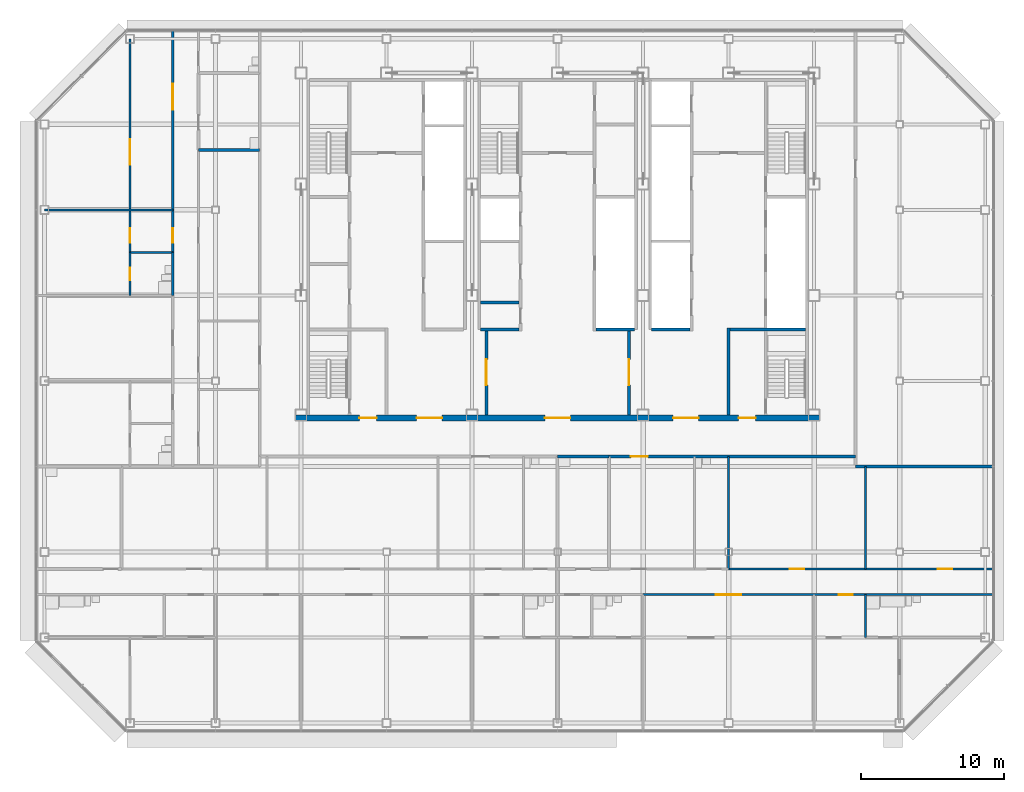
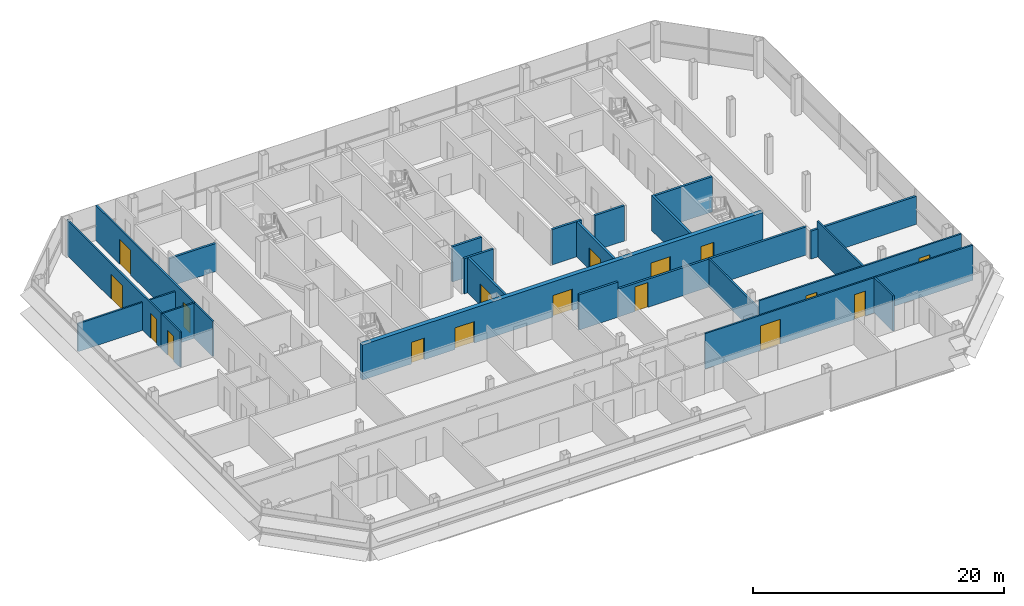
# One storey, part 23 of 28: 25 walls, 17 doors, 17 openings.
"""IFC4 building model written with IfcOpenShell, lengths in metres."""

from ifc_helpers import new_model, si_unit, direction, frame, frame_2d, origin, place, context, subcontext, project, spatial, rectangle, extrude, material, layer, layer_set, type_object, element, fill, save


model = new_model("IFC4")

# Units and contexts
model_context = context("Model", 3, precision=1e-05, world=origin(), true_north=direction((0.0, 1.0)))
body_context = subcontext(model_context, "Body", "Model", "MODEL_VIEW")
ifc_project = project(units=[si_unit("LENGTHUNIT", "METRE"), si_unit("AREAUNIT", "SQUARE_METRE"), si_unit("VOLUMEUNIT", "CUBIC_METRE"), si_unit("PLANEANGLEUNIT", "RADIAN"), si_unit("MASSUNIT", "GRAM", prefix="KILO")], contexts=[model_context])

# Site, building, storey
site_placement = place(None, origin())
site = spatial("IfcSite", under=ifc_project, at=site_placement, CompositionType="ELEMENT")
building_placement = place(site_placement, origin())
building = spatial("IfcBuilding", under=site, at=building_placement, Name="Sorahane Residences", CompositionType="ELEMENT")
storey_placement = place(building_placement, frame((0.0, 0.0, 266.60009765625)))
storey = spatial("IfcBuildingStorey", under=building, at=storey_placement, Name="L63", CompositionType="ELEMENT", Elevation=266.60009765625)

# Wall
ifc_material_1 = material(Name="Concrete blockwork C20 wall", Category="masonry")
ifc_layer_1 = layer(ifc_material_1, 0.199951171875)
ifc_layer_set_1 = layer_set([ifc_layer_1], Name="Corridor wall 200 EI 120")
wall_type_1 = type_object("IfcWallType", Name="Corridor wall 200 EI 120", PredefinedType="SOLIDWALL", material=ifc_layer_set_1)
wall_1_placement = place(storey_placement, frame((44.89990234375, 18.0, 0.0), z_axis=(0.0, 0.0, 1.0), x_axis=(1.0, 0.0, 0.0)))
element("IfcWall", 1, at=wall_1_placement, inside=storey, type_object=wall_type_1, Name="L63 corridor wall", PredefinedType="SOLIDWALL", context=body_context, shape_type="SweptSolid", body=[
    extrude(rectangle(XDim=9.7001953125, YDim=0.199951171875, at=frame_2d((4.85009765625, 0.0))), origin(), (0.0, 0.0, 1.0), 2.719970703125),
])

# Wall, opening, door
wall_2_placement = place(storey_placement, frame((27.60009765625, 18.699951171875, 0.0), z_axis=(0.0, 0.0, 1.0), x_axis=(1.0, 0.0, 0.0)))
wall_2 = element("IfcWall", 2, at=wall_2_placement, inside=storey, type_object=wall_type_1, Name="L63 corridor wall", PredefinedType="SOLIDWALL", context=body_context, shape_type="SweptSolid", body=[
    extrude(rectangle(XDim=17.2998046875, YDim=0.199951171875, at=frame_2d((8.64990234375, 0.0))), origin(), (0.0, 0.0, 1.0), 2.719970703125),
])
opening_1_placement = place(wall_2_placement, frame((1.5400390625, 0.0, 0.0)))
opening_1 = element("IfcOpeningElement", 3, at=opening_1_placement, cuts=wall_2, Name="Opening L63-45", PredefinedType="OPENING", context=body_context, shape_type="SweptSolid", body=[
    extrude(rectangle(XDim=1.199951171875, YDim=2.39990234375, at=frame_2d((0.60009765625, 1.199951171875))), frame((0.0, 0.10986328125, 0.0), z_axis=(0.0, -1.0, 0.0), x_axis=(1.0, 0.0, 0.0)), (0.0, 0.0, 1.0), 0.219970703125),
])
ifc_material_2 = material(Name="Timber veneered fire door", Category="wood")
door_type_1 = type_object("IfcDoorType", Name="Flat entrance door 1200x2400 FD60", OperationType="NOTDEFINED", PredefinedType="DOOR", material=ifc_material_2)
door_1_placement = place(opening_1_placement, frame((1.199951171875, 0.0, 0.0), z_axis=(0.0, 0.0, 1.0), x_axis=(-1.0, 0.0, 0.0)))
door_1 = element("IfcDoor", 4, at=door_1_placement, inside=storey, type_object=door_type_1, Name="Flat entrance door L63-45", OperationType="SINGLE_SWING_RIGHT", OverallHeight=2.39990234375, OverallWidth=1.199951171875, PredefinedType="DOOR", context=body_context, shape_type="SweptSolid", body=[
    extrude(rectangle(XDim=1.199951171875, YDim=2.39990234375, at=frame_2d((0.60009765625, 1.199951171875))), frame((0.0, 0.02490234375, 0.0), z_axis=(0.0, -1.0, 0.0), x_axis=(1.0, 0.0, 0.0)), (0.0, 0.0, 1.0), 0.050048828125),
])
fill(opening_1, door_1)

# Walls
ifc_material_3 = material(Name="Concrete C30", Category="concrete")
ifc_layer_2 = layer(ifc_material_3, 0.199951171875)
ifc_layer_set_2 = layer_set([ifc_layer_2], Name="Front room wall 200 EI 120")
wall_type_2 = type_object("IfcWallType", Name="Front room wall 200 EI 120", PredefinedType="PARTITIONING", material=ifc_layer_set_2)
wall_3_placement = place(storey_placement, frame((36.0, 21.60009765625, 0.0), z_axis=(0.0, 0.0, 1.0), x_axis=(0.0, 1.0, 0.0)))
element("IfcWall", 5, at=wall_3_placement, inside=storey, type_object=wall_type_2, Name="L63 front room wall", PredefinedType="PARTITIONING", context=body_context, shape_type="SweptSolid", body=[
    extrude(rectangle(XDim=6.099853515625, YDim=0.199951171875, at=frame_2d((3.0498046875, 0.0))), origin(), (0.0, 0.0, 1.0), 3.419921875),
])
ifc_material_4 = material(Name="Concrete blockwork C20 wall", Category="masonry")
ifc_layer_3 = layer(ifc_material_4, 0.199951171875)
ifc_layer_set_3 = layer_set([ifc_layer_3], Name="Kitchen wall 200 EI 180")
wall_type_3 = type_object("IfcWallType", Name="Kitchen wall 200 EI 180", PredefinedType="SOLIDWALL", material=ifc_layer_set_3)
wall_4_placement = place(storey_placement, frame((24.0, 18.699951171875, 0.0), z_axis=(0.0, 0.0, 1.0), x_axis=(1.0, 0.0, 0.0)))
element("IfcWall", 6, at=wall_4_placement, inside=storey, type_object=wall_type_3, Name="L63 kitchen wall", PredefinedType="SOLIDWALL", context=body_context, shape_type="SweptSolid", body=[
    extrude(rectangle(XDim=3.60009765625, YDim=0.199951171875, at=frame_2d((1.800048828125, 0.0))), origin(), (0.0, 0.0, 1.0), 3.419921875),
])
wall_5_placement = place(storey_placement, frame((-1.199951171875, 40.199951171875, 0.0), z_axis=(0.0, 0.0, 1.0), x_axis=(1.0, 0.0, 0.0)))
element("IfcWall", 7, at=wall_5_placement, inside=storey, type_object=wall_type_3, Name="L63 kitchen wall", PredefinedType="SOLIDWALL", context=body_context, shape_type="SweptSolid", body=[
    extrude(rectangle(XDim=4.300048828125, YDim=0.199951171875, at=frame_2d((2.14990234375, 0.0))), origin(), (0.0, 0.0, 1.0), 2.719970703125),
])
ifc_material_5 = material(Name="Concrete C30", Category="concrete")
ifc_layer_4 = layer(ifc_material_5, 0.199951171875)
ifc_layer_set_4 = layer_set([ifc_layer_4], Name="Lift shaft wall 200 EI 120")
wall_type_4 = type_object("IfcWallType", Name="Lift shaft wall 200 EI 120", PredefinedType="SOLIDWALL", material=ifc_layer_set_4)
wall_6_placement = place(storey_placement, frame((30.60009765625, 27.60009765625, 0.0), z_axis=(0.0, 0.0, 1.0), x_axis=(1.0, 0.0, 0.0)))
element("IfcWall", 8, at=wall_6_placement, inside=storey, type_object=wall_type_4, Name="L63 lift shaft wall", PredefinedType="SOLIDWALL", context=body_context, shape_type="SweptSolid", body=[
    extrude(rectangle(XDim=2.699951171875, YDim=0.199951171875, at=frame_2d((1.35009765625, 0.0))), origin(), (0.0, 0.0, 1.0), 3.419921875),
])

# Wall, openings, doors
ifc_material_6 = material(Name="Gypsum board partition on steel studs", Category="steel")
ifc_layer_5 = layer(ifc_material_6, 0.14990234375)
ifc_layer_set_5 = layer_set([ifc_layer_5], Name="Partition 150 EI 90")
wall_type_5 = type_object("IfcWallType", Name="Partition 150 EI 90", PredefinedType="PARTITIONING", material=ifc_layer_set_5)
wall_7_placement = place(storey_placement, frame((-3.0, 33.0, 0.0), z_axis=(0.0, 0.0, 1.0), x_axis=(0.0, 1.0, 0.0)))
wall_7 = element("IfcWall", 9, at=wall_7_placement, inside=storey, type_object=wall_type_5, Name="L63 partition", PredefinedType="PARTITIONING", context=body_context, shape_type="SweptSolid", body=[
    extrude(rectangle(XDim=15.60009765625, YDim=0.14990234375, at=frame_2d((7.800048828125, 0.0))), origin(), (0.0, 0.0, 1.0), 3.419921875),
])
opening_2_placement = place(wall_7_placement, frame((0.699951171875, 0.0, 0.0)))
opening_2 = element("IfcOpeningElement", 10, at=opening_2_placement, cuts=wall_7, Name="Opening L63-37", PredefinedType="OPENING", context=body_context, shape_type="SweptSolid", body=[
    extrude(rectangle(XDim=1.0, YDim=2.39990234375, at=frame_2d((0.5, 1.199951171875))), frame((0.0, 0.0849609375, 0.0), z_axis=(0.0, -1.0, 0.0), x_axis=(1.0, 0.0, 0.0)), (0.0, 0.0, 1.0), 0.169921875),
])
opening_3_placement = place(wall_7_placement, frame((10.0400390625, 0.0, 0.0)))
opening_3 = element("IfcOpeningElement", 11, at=opening_3_placement, cuts=wall_7, Name="Opening L63-38", PredefinedType="OPENING", context=body_context, shape_type="SweptSolid", body=[
    extrude(rectangle(XDim=1.800048828125, YDim=2.39990234375, at=frame_2d((0.89990234375, 1.199951171875))), frame((0.0, 0.0849609375, 0.0), z_axis=(0.0, -1.0, 0.0), x_axis=(1.0, 0.0, 0.0)), (0.0, 0.0, 1.0), 0.169921875),
])
ifc_material_7 = material(Name="Timber veneered fire door", Category="wood")
door_type_2 = type_object("IfcDoorType", Name="Double door 1800x2400 FD30", OperationType="NOTDEFINED", PredefinedType="DOOR", material=ifc_material_7)
door_2_placement = place(opening_3_placement, origin())
door_2 = element("IfcDoor", 12, at=door_2_placement, inside=storey, type_object=door_type_2, Name="Double door L63-38", OperationType="SINGLE_SWING_RIGHT", OverallHeight=2.39990234375, OverallWidth=1.800048828125, PredefinedType="DOOR", context=body_context, shape_type="SweptSolid", body=[
    extrude(rectangle(XDim=1.800048828125, YDim=2.39990234375, at=frame_2d((0.89990234375, 1.199951171875))), frame((0.0, 0.02490234375, 0.0), z_axis=(0.0, -1.0, 0.0), x_axis=(1.0, 0.0, 0.0)), (0.0, 0.0, 1.0), 0.050048828125),
])
fill(opening_3, door_2)
ifc_material_8 = material(Name="Timber veneered fire door", Category="wood")
door_type_3 = type_object("IfcDoorType", Name="Room door 1000x2400 FD30", OperationType="NOTDEFINED", PredefinedType="DOOR", material=ifc_material_8)
door_3_placement = place(opening_2_placement, origin())
door_3 = element("IfcDoor", 13, at=door_3_placement, inside=storey, type_object=door_type_3, Name="Room door L63-37", OperationType="SINGLE_SWING_LEFT", OverallHeight=2.39990234375, OverallWidth=1.0, PredefinedType="DOOR", context=body_context, shape_type="SweptSolid", body=[
    extrude(rectangle(XDim=1.0, YDim=2.39990234375, at=frame_2d((0.5, 1.199951171875))), frame((0.0, 0.02490234375, 0.0), z_axis=(0.0, -1.0, 0.0), x_axis=(1.0, 0.0, 0.0)), (0.0, 0.0, 1.0), 0.050048828125),
])
fill(opening_2, door_3)

wall_8_placement = place(storey_placement, frame((-6.0, 33.0, 0.0), z_axis=(0.0, 0.0, 1.0), x_axis=(0.0, 1.0, 0.0)))
wall_8 = element("IfcWall", 14, at=wall_8_placement, inside=storey, type_object=wall_type_5, Name="L63 partition", PredefinedType="PARTITIONING", context=body_context, shape_type="SweptSolid", body=[
    extrude(rectangle(XDim=15.0, YDim=0.14990234375, at=frame_2d((7.5, 0.0))), origin(), (0.0, 0.0, 1.0), 3.419921875),
])
opening_4_placement = place(wall_8_placement, frame((0.699951171875, 0.0, 0.0)))
opening_4 = element("IfcOpeningElement", 15, at=opening_4_placement, cuts=wall_8, Name="Opening L63-41", PredefinedType="OPENING", context=body_context, shape_type="SweptSolid", body=[
    extrude(rectangle(XDim=1.0, YDim=2.39990234375, at=frame_2d((0.5, 1.199951171875))), frame((0.0, 0.0849609375, 0.0), z_axis=(0.0, -1.0, 0.0), x_axis=(1.0, 0.0, 0.0)), (0.0, 0.0, 1.0), 0.169921875),
])
opening_5_placement = place(wall_8_placement, frame((6.159912109375, 0.0, 0.0)))
opening_5 = element("IfcOpeningElement", 16, at=opening_5_placement, cuts=wall_8, Name="Opening L63-43", PredefinedType="OPENING", context=body_context, shape_type="SweptSolid", body=[
    extrude(rectangle(XDim=1.800048828125, YDim=2.39990234375, at=frame_2d((0.89990234375, 1.199951171875))), frame((0.0, 0.0849609375, 0.0), z_axis=(0.0, -1.0, 0.0), x_axis=(1.0, 0.0, 0.0)), (0.0, 0.0, 1.0), 0.169921875),
])
door_4_placement = place(opening_5_placement, origin())
door_4 = element("IfcDoor", 17, at=door_4_placement, inside=storey, type_object=door_type_2, Name="Double door L63-43", OperationType="SINGLE_SWING_RIGHT", OverallHeight=2.39990234375, OverallWidth=1.800048828125, PredefinedType="DOOR", context=body_context, shape_type="SweptSolid", body=[
    extrude(rectangle(XDim=1.800048828125, YDim=2.39990234375, at=frame_2d((0.89990234375, 1.199951171875))), frame((0.0, 0.02490234375, 0.0), z_axis=(0.0, -1.0, 0.0), x_axis=(1.0, 0.0, 0.0)), (0.0, 0.0, 1.0), 0.050048828125),
])
fill(opening_5, door_4)
door_5_placement = place(opening_4_placement, origin())
door_5 = element("IfcDoor", 18, at=door_5_placement, inside=storey, type_object=door_type_3, Name="Room door L63-41", OperationType="SINGLE_SWING_LEFT", OverallHeight=2.39990234375, OverallWidth=1.0, PredefinedType="DOOR", context=body_context, shape_type="SweptSolid", body=[
    extrude(rectangle(XDim=1.0, YDim=2.39990234375, at=frame_2d((0.5, 1.199951171875))), frame((0.0, 0.02490234375, 0.0), z_axis=(0.0, -1.0, 0.0), x_axis=(1.0, 0.0, 0.0)), (0.0, 0.0, 1.0), 0.050048828125),
])
fill(opening_4, door_5)

# Wall
wall_9_placement = place(storey_placement, frame((45.60009765625, 10.800048828125, 0.0), z_axis=(0.0, 0.0, 1.0), x_axis=(0.0, 1.0, 0.0)))
element("IfcWall", 19, at=wall_9_placement, inside=storey, type_object=wall_type_5, Name="L63 partition", PredefinedType="PARTITIONING", context=body_context, shape_type="SweptSolid", body=[
    extrude(rectangle(XDim=7.199951171875, YDim=0.14990234375, at=frame_2d((3.60009765625, 0.0))), origin(), (0.0, 0.0, 1.0), 3.419921875),
])

# Wall, openings, doors
wall_10_placement = place(storey_placement, frame((36.0, 10.800048828125, 0.0), z_axis=(0.0, 0.0, 1.0), x_axis=(1.0, 0.0, 0.0)))
wall_10 = element("IfcWall", 20, at=wall_10_placement, inside=storey, type_object=wall_type_5, Name="L63 partition", PredefinedType="PARTITIONING", context=body_context, shape_type="SweptSolid", body=[
    extrude(rectangle(XDim=18.60009765625, YDim=0.14990234375, at=frame_2d((9.300048828125, 0.0))), origin(), (0.0, 0.0, 1.0), 3.419921875),
])
opening_6_placement = place(wall_10_placement, frame((4.300048828125, 0.0, 0.0)))
opening_6 = element("IfcOpeningElement", 21, at=opening_6_placement, cuts=wall_10, Name="Opening L63-19", PredefinedType="OPENING", context=body_context, shape_type="SweptSolid", body=[
    extrude(rectangle(XDim=1.0, YDim=2.39990234375, at=frame_2d((0.5, 1.199951171875))), frame((0.0, 0.0849609375, 0.0), z_axis=(0.0, -1.0, 0.0), x_axis=(1.0, 0.0, 0.0)), (0.0, 0.0, 1.0), 0.169921875),
])
opening_7_placement = place(wall_10_placement, frame((14.679931640625, 0.0, 0.0)))
opening_7 = element("IfcOpeningElement", 22, at=opening_7_placement, cuts=wall_10, Name="Opening L63-20", PredefinedType="OPENING", context=body_context, shape_type="SweptSolid", body=[
    extrude(rectangle(XDim=1.0, YDim=2.39990234375, at=frame_2d((0.5, 1.199951171875))), frame((0.0, 0.0849609375, 0.0), z_axis=(0.0, -1.0, 0.0), x_axis=(1.0, 0.0, 0.0)), (0.0, 0.0, 1.0), 0.169921875),
])
door_6_placement = place(opening_6_placement, origin())
door_6 = element("IfcDoor", 23, at=door_6_placement, inside=storey, type_object=door_type_3, Name="Room door L63-19", OperationType="SINGLE_SWING_RIGHT", OverallHeight=2.39990234375, OverallWidth=1.0, PredefinedType="DOOR", context=body_context, shape_type="SweptSolid", body=[
    extrude(rectangle(XDim=1.0, YDim=2.39990234375, at=frame_2d((0.5, 1.199951171875))), frame((0.0, 0.02490234375, 0.0), z_axis=(0.0, -1.0, 0.0), x_axis=(1.0, 0.0, 0.0)), (0.0, 0.0, 1.0), 0.050048828125),
])
fill(opening_6, door_6)
door_7_placement = place(opening_7_placement, origin())
door_7 = element("IfcDoor", 24, at=door_7_placement, inside=storey, type_object=door_type_3, Name="Room door L63-20", OperationType="SINGLE_SWING_RIGHT", OverallHeight=2.39990234375, OverallWidth=1.0, PredefinedType="DOOR", context=body_context, shape_type="SweptSolid", body=[
    extrude(rectangle(XDim=1.0, YDim=2.39990234375, at=frame_2d((0.5, 1.199951171875))), frame((0.0, 0.02490234375, 0.0), z_axis=(0.0, -1.0, 0.0), x_axis=(1.0, 0.0, 0.0)), (0.0, 0.0, 1.0), 0.050048828125),
])
fill(opening_7, door_7)

# Wall
wall_11_placement = place(storey_placement, frame((-12.0, 36.0, 0.0), z_axis=(0.0, 0.0, 1.0), x_axis=(1.0, 0.0, 0.0)))
element("IfcWall", 25, at=wall_11_placement, inside=storey, type_object=wall_type_5, Name="L63 partition", PredefinedType="PARTITIONING", context=body_context, shape_type="SweptSolid", body=[
    extrude(rectangle(XDim=9.0, YDim=0.14990234375, at=frame_2d((4.5, 0.0))), origin(), (0.0, 0.0, 1.0), 2.719970703125),
])

# Wall, openings, doors
wall_12_placement = place(storey_placement, frame((30.0, 9.0, 0.0), z_axis=(0.0, 0.0, 1.0), x_axis=(1.0, 0.0, 0.0)))
wall_12 = element("IfcWall", 26, at=wall_12_placement, inside=storey, type_object=wall_type_5, Name="L63 partition", PredefinedType="PARTITIONING", context=body_context, shape_type="SweptSolid", body=[
    extrude(rectangle(XDim=15.60009765625, YDim=0.14990234375, at=frame_2d((7.800048828125, 0.0))), origin(), (0.0, 0.0, 1.0), 3.419921875),
])
opening_8_placement = place(wall_12_placement, frame((5.10009765625, 0.0, 0.0)))
opening_8 = element("IfcOpeningElement", 27, at=opening_8_placement, cuts=wall_12, Name="Opening L63-22", PredefinedType="OPENING", context=body_context, shape_type="SweptSolid", body=[
    extrude(rectangle(XDim=1.800048828125, YDim=2.39990234375, at=frame_2d((0.89990234375, 1.199951171875))), frame((0.0, 0.0849609375, 0.0), z_axis=(0.0, -1.0, 0.0), x_axis=(1.0, 0.0, 0.0)), (0.0, 0.0, 1.0), 0.169921875),
])
opening_9_placement = place(wall_12_placement, frame((13.719970703125, 0.0, 0.0)))
opening_9 = element("IfcOpeningElement", 28, at=opening_9_placement, cuts=wall_12, Name="Opening L63-23", PredefinedType="OPENING", context=body_context, shape_type="SweptSolid", body=[
    extrude(rectangle(XDim=1.0, YDim=2.39990234375, at=frame_2d((0.5, 1.199951171875))), frame((0.0, 0.0849609375, 0.0), z_axis=(0.0, -1.0, 0.0), x_axis=(1.0, 0.0, 0.0)), (0.0, 0.0, 1.0), 0.169921875),
])
door_8_placement = place(opening_8_placement, frame((1.800048828125, 0.0, 0.0), z_axis=(0.0, 0.0, 1.0), x_axis=(-1.0, 0.0, 0.0)))
door_8 = element("IfcDoor", 29, at=door_8_placement, inside=storey, type_object=door_type_2, Name="Double door L63-22", OperationType="SINGLE_SWING_RIGHT", OverallHeight=2.39990234375, OverallWidth=1.800048828125, PredefinedType="DOOR", context=body_context, shape_type="SweptSolid", body=[
    extrude(rectangle(XDim=1.800048828125, YDim=2.39990234375, at=frame_2d((0.89990234375, 1.199951171875))), frame((0.0, 0.02490234375, 0.0), z_axis=(0.0, -1.0, 0.0), x_axis=(1.0, 0.0, 0.0)), (0.0, 0.0, 1.0), 0.050048828125),
])
fill(opening_8, door_8)
door_9_placement = place(opening_9_placement, frame((1.0, 0.0, 0.0), z_axis=(0.0, 0.0, 1.0), x_axis=(-1.0, 0.0, 0.0)))
door_9 = element("IfcDoor", 30, at=door_9_placement, inside=storey, type_object=door_type_3, Name="Room door L63-23", OperationType="SINGLE_SWING_LEFT", OverallHeight=2.39990234375, OverallWidth=1.0, PredefinedType="DOOR", context=body_context, shape_type="SweptSolid", body=[
    extrude(rectangle(XDim=1.0, YDim=2.39990234375, at=frame_2d((0.5, 1.199951171875))), frame((0.0, 0.02490234375, 0.0), z_axis=(0.0, -1.0, 0.0), x_axis=(1.0, 0.0, 0.0)), (0.0, 0.0, 1.0), 0.050048828125),
])
fill(opening_9, door_9)

# Wall
ifc_material_9 = material(Name="Concrete C30", Category="concrete")
ifc_layer_6 = layer(ifc_material_9, 0.199951171875)
ifc_layer_set_6 = layer_set([ifc_layer_6], Name="Riser shaft wall 200 EI 120")
wall_type_6 = type_object("IfcWallType", Name="Riser shaft wall 200 EI 120", PredefinedType="SOLIDWALL", material=ifc_layer_set_6)
wall_13_placement = place(storey_placement, frame((26.699951171875, 27.60009765625, 0.0), z_axis=(0.0, 0.0, 1.0), x_axis=(1.0, 0.0, 0.0)))
element("IfcWall", 31, at=wall_13_placement, inside=storey, type_object=wall_type_6, Name="L63 riser wall", PredefinedType="SOLIDWALL", context=body_context, shape_type="SweptSolid", body=[
    extrude(rectangle(XDim=2.699951171875, YDim=0.199951171875, at=frame_2d((1.35009765625, 0.0))), origin(), (0.0, 0.0, 1.0), 3.419921875),
])

# Wall, opening, door
ifc_material_10 = material(Name="Concrete C30", Category="concrete")
ifc_layer_7 = layer(ifc_material_10, 0.199951171875)
ifc_layer_set_7 = layer_set([ifc_layer_7], Name="Service room partition 200 EI 60")
wall_type_7 = type_object("IfcWallType", Name="Service room partition 200 EI 60", PredefinedType="PARTITIONING", material=ifc_layer_set_7)
wall_14_placement = place(storey_placement, frame((19.0, 21.60009765625, 0.0), z_axis=(0.0, 0.0, 1.0), x_axis=(0.0, 1.0, 0.0)))
wall_14 = element("IfcWall", 32, at=wall_14_placement, inside=storey, type_object=wall_type_7, Name="L63 service room wall", PredefinedType="PARTITIONING", context=body_context, shape_type="SweptSolid", body=[
    extrude(rectangle(XDim=6.0, YDim=0.199951171875, at=frame_2d((3.0, 0.0))), origin(), (0.0, 0.0, 1.0), 3.419921875),
])
opening_10_placement = place(wall_14_placement, frame((2.10009765625, 0.0, 0.0)))
opening_10 = element("IfcOpeningElement", 33, at=opening_10_placement, cuts=wall_14, Name="Opening L63-C02", PredefinedType="OPENING", context=body_context, shape_type="SweptSolid", body=[
    extrude(rectangle(XDim=1.800048828125, YDim=2.10009765625, at=frame_2d((0.89990234375, 1.050048828125))), frame((0.0, 0.10986328125, 0.0), z_axis=(0.0, -1.0, 0.0), x_axis=(1.0, 0.0, 0.0)), (0.0, 0.0, 1.0), 0.219970703125),
])
ifc_material_11 = material(Name="Steel", Category="steel")
door_type_4 = type_object("IfcDoorType", Name="Waiting hall door 1800x2100 FD60", OperationType="NOTDEFINED", PredefinedType="DOOR", material=ifc_material_11)
door_10_placement = place(opening_10_placement, origin())
door_10 = element("IfcDoor", 34, at=door_10_placement, inside=storey, type_object=door_type_4, Name="Waiting hall door Residents' waiting hall west L63", OperationType="SINGLE_SWING_LEFT", OverallHeight=2.10009765625, OverallWidth=1.800048828125, PredefinedType="DOOR", context=body_context, shape_type="SweptSolid", body=[
    extrude(rectangle(XDim=1.800048828125, YDim=2.10009765625, at=frame_2d((0.89990234375, 1.050048828125))), frame((0.0, 0.02490234375, 0.0), z_axis=(0.0, -1.0, 0.0), x_axis=(1.0, 0.0, 0.0)), (0.0, 0.0, 1.0), 0.050048828125),
])
fill(opening_10, door_10)

wall_15_placement = place(storey_placement, frame((29.0, 21.60009765625, 0.0), z_axis=(0.0, 0.0, 1.0), x_axis=(0.0, 1.0, 0.0)))
wall_15 = element("IfcWall", 35, at=wall_15_placement, inside=storey, type_object=wall_type_7, Name="L63 service room wall", PredefinedType="PARTITIONING", context=body_context, shape_type="SweptSolid", body=[
    extrude(rectangle(XDim=6.0, YDim=0.199951171875, at=frame_2d((3.0, 0.0))), origin(), (0.0, 0.0, 1.0), 3.419921875),
])
opening_11_placement = place(wall_15_placement, frame((2.10009765625, 0.0, 0.0)))
opening_11 = element("IfcOpeningElement", 36, at=opening_11_placement, cuts=wall_15, Name="Opening L63-C04", PredefinedType="OPENING", context=body_context, shape_type="SweptSolid", body=[
    extrude(rectangle(XDim=1.800048828125, YDim=2.10009765625, at=frame_2d((0.89990234375, 1.050048828125))), frame((0.0, 0.10986328125, 0.0), z_axis=(0.0, -1.0, 0.0), x_axis=(1.0, 0.0, 0.0)), (0.0, 0.0, 1.0), 0.219970703125),
])
door_11_placement = place(opening_11_placement, origin())
door_11 = element("IfcDoor", 37, at=door_11_placement, inside=storey, type_object=door_type_4, Name="Waiting hall door Residents' waiting hall centre L63", OperationType="SINGLE_SWING_LEFT", OverallHeight=2.10009765625, OverallWidth=1.800048828125, PredefinedType="DOOR", context=body_context, shape_type="SweptSolid", body=[
    extrude(rectangle(XDim=1.800048828125, YDim=2.10009765625, at=frame_2d((0.89990234375, 1.050048828125))), frame((0.0, 0.02490234375, 0.0), z_axis=(0.0, -1.0, 0.0), x_axis=(1.0, 0.0, 0.0)), (0.0, 0.0, 1.0), 0.050048828125),
])
fill(opening_11, door_11)

# Walls
for number, where, z_axis, x_axis, name in (
    (38, (18.60009765625, 27.60009765625, 0.0), (0.0, 0.0, 1.0), (1.0, 0.0, 0.0), "L63 service room wall"),
    (39, (18.60009765625, 29.5, 0.0), (0.0, 0.0, 1.0), (1.0, 0.0, 0.0), "L63 service room wall"),
):
    element("IfcWall", number, at=place(storey_placement, frame(where, z_axis=z_axis, x_axis=x_axis)), inside=storey, type_object=wall_type_7, Name=name, PredefinedType="PARTITIONING", context=body_context, shape_type="SweptSolid", body=[
        extrude(rectangle(XDim=2.699951171875, YDim=0.199951171875, at=frame_2d((1.35009765625, 0.0))), origin(), (0.0, 0.0, 1.0), 3.419921875),
    ])
ifc_material_12 = material(Name="Concrete C30", Category="concrete")
ifc_layer_8 = layer(ifc_material_12, 0.199951171875)
ifc_layer_set_8 = layer_set([ifc_layer_8], Name="Stair enclosure wall 200 EI 120")
wall_type_8 = type_object("IfcWallType", Name="Stair enclosure wall 200 EI 120", PredefinedType="SOLIDWALL", material=ifc_layer_set_8)
wall_16_placement = place(storey_placement, frame((36.10009765625, 27.60009765625, 0.0), z_axis=(0.0, 0.0, 1.0), x_axis=(1.0, 0.0, 0.0)))
element("IfcWall", 40, at=wall_16_placement, inside=storey, type_object=wall_type_8, Name="L63 stair enclosure wall", PredefinedType="SOLIDWALL", context=body_context, shape_type="SweptSolid", body=[
    extrude(rectangle(XDim=5.2998046875, YDim=0.199951171875, at=frame_2d((2.64990234375, 0.0))), origin(), (0.0, 0.0, 1.0), 3.419921875),
])

# Wall, openings, doors
ifc_material_13 = material(Name="Concrete C30", Category="concrete")
ifc_layer_9 = layer(ifc_material_13, 0.39990234375)
ifc_layer_set_9 = layer_set([ifc_layer_9], Name="Waiting hall wall 400 EI 120")
wall_type_9 = type_object("IfcWallType", Name="Waiting hall wall 400 EI 120", PredefinedType="SOLIDWALL", material=ifc_layer_set_9)
wall_17_placement = place(storey_placement, frame((5.60009765625, 21.39990234375, 0.0), z_axis=(0.0, 0.0, 1.0), x_axis=(1.0, 0.0, 0.0)))
wall_17 = element("IfcWall", 41, at=wall_17_placement, inside=storey, type_object=wall_type_9, Name="L63 waiting hall wall", PredefinedType="SOLIDWALL", context=body_context, shape_type="SweptSolid", body=[
    extrude(rectangle(XDim=36.7998046875, YDim=0.39990234375, at=frame_2d((18.39990234375, 0.0))), origin(), (0.0, 0.0, 1.0), 3.419921875),
])
opening_12_placement = place(wall_17_placement, frame((8.5, 0.0, 0.0)))
opening_12 = element("IfcOpeningElement", 42, at=opening_12_placement, cuts=wall_17, Name="Opening L63-C01", PredefinedType="OPENING", context=body_context, shape_type="SweptSolid", body=[
    extrude(rectangle(XDim=1.800048828125, YDim=2.10009765625, at=frame_2d((0.89990234375, 1.050048828125))), frame((0.0, 0.2099609375, 0.0), z_axis=(0.0, -1.0, 0.0), x_axis=(1.0, 0.0, 0.0)), (0.0, 0.0, 1.0), 0.419921875),
])
opening_13_placement = place(wall_17_placement, frame((17.5, 0.0, 0.0)))
opening_13 = element("IfcOpeningElement", 43, at=opening_13_placement, cuts=wall_17, Name="Opening L63-C03", PredefinedType="OPENING", context=body_context, shape_type="SweptSolid", body=[
    extrude(rectangle(XDim=1.800048828125, YDim=2.10009765625, at=frame_2d((0.89990234375, 1.050048828125))), frame((0.0, 0.2099609375, 0.0), z_axis=(0.0, -1.0, 0.0), x_axis=(1.0, 0.0, 0.0)), (0.0, 0.0, 1.0), 0.419921875),
])
opening_14_placement = place(wall_17_placement, frame((26.5, 0.0, 0.0)))
opening_14 = element("IfcOpeningElement", 44, at=opening_14_placement, cuts=wall_17, Name="Opening L63-C05", PredefinedType="OPENING", context=body_context, shape_type="SweptSolid", body=[
    extrude(rectangle(XDim=1.800048828125, YDim=2.10009765625, at=frame_2d((0.89990234375, 1.050048828125))), frame((0.0, 0.2099609375, 0.0), z_axis=(0.0, -1.0, 0.0), x_axis=(1.0, 0.0, 0.0)), (0.0, 0.0, 1.0), 0.419921875),
])
opening_15_placement = place(wall_17_placement, frame((4.5, 0.0, 0.0)))
opening_15 = element("IfcOpeningElement", 45, at=opening_15_placement, cuts=wall_17, Name="Opening L63-C06", PredefinedType="OPENING", context=body_context, shape_type="SweptSolid", body=[
    extrude(rectangle(XDim=1.199951171875, YDim=2.10009765625, at=frame_2d((0.60009765625, 1.050048828125))), frame((0.0, 0.2099609375, 0.0), z_axis=(0.0, -1.0, 0.0), x_axis=(1.0, 0.0, 0.0)), (0.0, 0.0, 1.0), 0.419921875),
])
opening_16_placement = place(wall_17_placement, frame((31.10009765625, 0.0, 0.0)))
opening_16 = element("IfcOpeningElement", 46, at=opening_16_placement, cuts=wall_17, Name="Opening L63-C07", PredefinedType="OPENING", context=body_context, shape_type="SweptSolid", body=[
    extrude(rectangle(XDim=1.199951171875, YDim=2.10009765625, at=frame_2d((0.60009765625, 1.050048828125))), frame((0.0, 0.2099609375, 0.0), z_axis=(0.0, -1.0, 0.0), x_axis=(1.0, 0.0, 0.0)), (0.0, 0.0, 1.0), 0.419921875),
])
ifc_material_14 = material(Name="Steel", Category="steel")
door_type_5 = type_object("IfcDoorType", Name="Stair front room door 1200x2100 FD120", OperationType="NOTDEFINED", PredefinedType="DOOR", material=ifc_material_14)
door_12_placement = place(opening_15_placement, frame((1.199951171875, 0.0, 0.0), z_axis=(0.0, 0.0, 1.0), x_axis=(-1.0, 0.0, 0.0)))
door_12 = element("IfcDoor", 47, at=door_12_placement, inside=storey, type_object=door_type_5, Name="Stair front room door Stair S4 front room L63", OperationType="SINGLE_SWING_LEFT", OverallHeight=2.10009765625, OverallWidth=1.199951171875, PredefinedType="DOOR", context=body_context, shape_type="SweptSolid", body=[
    extrude(rectangle(XDim=1.199951171875, YDim=2.10009765625, at=frame_2d((0.60009765625, 1.050048828125))), frame((0.0, 0.02490234375, 0.0), z_axis=(0.0, -1.0, 0.0), x_axis=(1.0, 0.0, 0.0)), (0.0, 0.0, 1.0), 0.050048828125),
])
fill(opening_15, door_12)
door_13_placement = place(opening_16_placement, frame((1.199951171875, 0.0, 0.0), z_axis=(0.0, 0.0, 1.0), x_axis=(-1.0, 0.0, 0.0)))
door_13 = element("IfcDoor", 48, at=door_13_placement, inside=storey, type_object=door_type_5, Name="Stair front room door Stair S5 front room L63", OperationType="SINGLE_SWING_LEFT", OverallHeight=2.10009765625, OverallWidth=1.199951171875, PredefinedType="DOOR", context=body_context, shape_type="SweptSolid", body=[
    extrude(rectangle(XDim=1.199951171875, YDim=2.10009765625, at=frame_2d((0.60009765625, 1.050048828125))), frame((0.0, 0.02490234375, 0.0), z_axis=(0.0, -1.0, 0.0), x_axis=(1.0, 0.0, 0.0)), (0.0, 0.0, 1.0), 0.050048828125),
])
fill(opening_16, door_13)
door_14_placement = place(opening_12_placement, frame((1.800048828125, 0.0, 0.0), z_axis=(0.0, 0.0, 1.0), x_axis=(-1.0, 0.0, 0.0)))
door_14 = element("IfcDoor", 49, at=door_14_placement, inside=storey, type_object=door_type_4, Name="Waiting hall door Residents' waiting hall west L63", OperationType="SINGLE_SWING_LEFT", OverallHeight=2.10009765625, OverallWidth=1.800048828125, PredefinedType="DOOR", context=body_context, shape_type="SweptSolid", body=[
    extrude(rectangle(XDim=1.800048828125, YDim=2.10009765625, at=frame_2d((0.89990234375, 1.050048828125))), frame((0.0, 0.02490234375, 0.0), z_axis=(0.0, -1.0, 0.0), x_axis=(1.0, 0.0, 0.0)), (0.0, 0.0, 1.0), 0.050048828125),
])
fill(opening_12, door_14)
door_15_placement = place(opening_13_placement, frame((1.800048828125, 0.0, 0.0), z_axis=(0.0, 0.0, 1.0), x_axis=(-1.0, 0.0, 0.0)))
door_15 = element("IfcDoor", 50, at=door_15_placement, inside=storey, type_object=door_type_4, Name="Waiting hall door Residents' waiting hall centre L63", OperationType="SINGLE_SWING_LEFT", OverallHeight=2.10009765625, OverallWidth=1.800048828125, PredefinedType="DOOR", context=body_context, shape_type="SweptSolid", body=[
    extrude(rectangle(XDim=1.800048828125, YDim=2.10009765625, at=frame_2d((0.89990234375, 1.050048828125))), frame((0.0, 0.02490234375, 0.0), z_axis=(0.0, -1.0, 0.0), x_axis=(1.0, 0.0, 0.0)), (0.0, 0.0, 1.0), 0.050048828125),
])
fill(opening_13, door_15)
door_16_placement = place(opening_14_placement, frame((1.800048828125, 0.0, 0.0), z_axis=(0.0, 0.0, 1.0), x_axis=(-1.0, 0.0, 0.0)))
door_16 = element("IfcDoor", 51, at=door_16_placement, inside=storey, type_object=door_type_4, Name="Waiting hall door Residents' waiting hall east L63", OperationType="SINGLE_SWING_LEFT", OverallHeight=2.10009765625, OverallWidth=1.800048828125, PredefinedType="DOOR", context=body_context, shape_type="SweptSolid", body=[
    extrude(rectangle(XDim=1.800048828125, YDim=2.10009765625, at=frame_2d((0.89990234375, 1.050048828125))), frame((0.0, 0.02490234375, 0.0), z_axis=(0.0, -1.0, 0.0), x_axis=(1.0, 0.0, 0.0)), (0.0, 0.0, 1.0), 0.050048828125),
])
fill(opening_14, door_16)

# Wall
ifc_material_15 = material(Name="Gypsum board partition on steel studs", Category="steel")
ifc_layer_10 = layer(ifc_material_15, 0.14990234375)
ifc_layer_set_10 = layer_set([ifc_layer_10], Name="Wet wall 150 EI 90")
wall_type_10 = type_object("IfcWallType", Name="Wet wall 150 EI 90", PredefinedType="PARTITIONING", material=ifc_layer_set_10)
wall_18_placement = place(storey_placement, frame((-3.0, 30.0, 0.0), z_axis=(0.0, 0.0, 1.0), x_axis=(0.0, 1.0, 0.0)))
element("IfcWall", 52, at=wall_18_placement, inside=storey, type_object=wall_type_10, Name="L63 wet wall", PredefinedType="PARTITIONING", context=body_context, shape_type="SweptSolid", body=[
    extrude(rectangle(XDim=3.0, YDim=0.14990234375, at=frame_2d((1.5, 0.0))), origin(), (0.0, 0.0, 1.0), 3.419921875),
])

# Wall, opening, door
wall_19_placement = place(storey_placement, frame((-6.0, 30.0, 0.0), z_axis=(0.0, 0.0, 1.0), x_axis=(0.0, 1.0, 0.0)))
wall_19 = element("IfcWall", 53, at=wall_19_placement, inside=storey, type_object=wall_type_10, Name="L63 wet wall", PredefinedType="PARTITIONING", context=body_context, shape_type="SweptSolid", body=[
    extrude(rectangle(XDim=3.0, YDim=0.14990234375, at=frame_2d((1.5, 0.0))), origin(), (0.0, 0.0, 1.0), 3.419921875),
])
opening_17_placement = place(wall_19_placement, frame((1.050048828125, 0.0, 0.0)))
opening_17 = element("IfcOpeningElement", 54, at=opening_17_placement, cuts=wall_19, Name="Opening L63-42", PredefinedType="OPENING", context=body_context, shape_type="SweptSolid", body=[
    extrude(rectangle(XDim=0.89990234375, YDim=2.39990234375, at=frame_2d((0.449951171875, 1.199951171875))), frame((0.0, 0.0849609375, 0.0), z_axis=(0.0, -1.0, 0.0), x_axis=(1.0, 0.0, 0.0)), (0.0, 0.0, 1.0), 0.169921875),
])
ifc_material_16 = material(Name="Timber veneered fire door", Category="wood")
door_type_6 = type_object("IfcDoorType", Name="Bathroom door 900x2400 FD30", OperationType="NOTDEFINED", PredefinedType="DOOR", material=ifc_material_16)
door_17_placement = place(opening_17_placement, origin())
door_17 = element("IfcDoor", 55, at=door_17_placement, inside=storey, type_object=door_type_6, Name="Bathroom door L63-42", OperationType="SINGLE_SWING_RIGHT", OverallHeight=2.39990234375, OverallWidth=0.89990234375, PredefinedType="DOOR", context=body_context, shape_type="SweptSolid", body=[
    extrude(rectangle(XDim=0.89990234375, YDim=2.39990234375, at=frame_2d((0.449951171875, 1.199951171875))), frame((0.0, 0.02490234375, 0.0), z_axis=(0.0, -1.0, 0.0), x_axis=(1.0, 0.0, 0.0)), (0.0, 0.0, 1.0), 0.050048828125),
])
fill(opening_17, door_17)

# Walls
wall_20_placement = place(storey_placement, frame((36.0, 10.800048828125, 0.0), z_axis=(0.0, 0.0, 1.0), x_axis=(0.0, 1.0, 0.0)))
element("IfcWall", 56, at=wall_20_placement, inside=storey, type_object=wall_type_10, Name="L63 wet wall", PredefinedType="PARTITIONING", context=body_context, shape_type="SweptSolid", body=[
    extrude(rectangle(XDim=7.89990234375, YDim=0.14990234375, at=frame_2d((3.949951171875, 0.0))), origin(), (0.0, 0.0, 1.0), 2.719970703125),
])
for number, where, z_axis, x_axis, name in (
    (57, (45.60009765625, 6.0, 0.0), (0.0, 0.0, 1.0), (0.0, 1.0, 0.0), "L63 wet wall"),
    (58, (-6.0, 33.0, 0.0), (0.0, 0.0, 1.0), (1.0, 0.0, 0.0), "L63 wet wall"),
):
    element("IfcWall", number, at=place(storey_placement, frame(where, z_axis=z_axis, x_axis=x_axis)), inside=storey, type_object=wall_type_10, Name=name, PredefinedType="PARTITIONING", context=body_context, shape_type="SweptSolid", body=[
        extrude(rectangle(XDim=3.0, YDim=0.14990234375, at=frame_2d((1.5, 0.0))), origin(), (0.0, 0.0, 1.0), 3.419921875),
    ])
wall_21_placement = place(storey_placement, frame((45.60009765625, 9.0, 0.0), z_axis=(0.0, 0.0, 1.0), x_axis=(1.0, 0.0, 0.0)))
element("IfcWall", 59, at=wall_21_placement, inside=storey, type_object=wall_type_10, Name="L63 wet wall", PredefinedType="PARTITIONING", context=body_context, shape_type="SweptSolid", body=[
    extrude(rectangle(XDim=9.0, YDim=0.14990234375, at=frame_2d((4.5, 0.0))), origin(), (0.0, 0.0, 1.0), 3.419921875),
])

save(model, "model.ifc")
